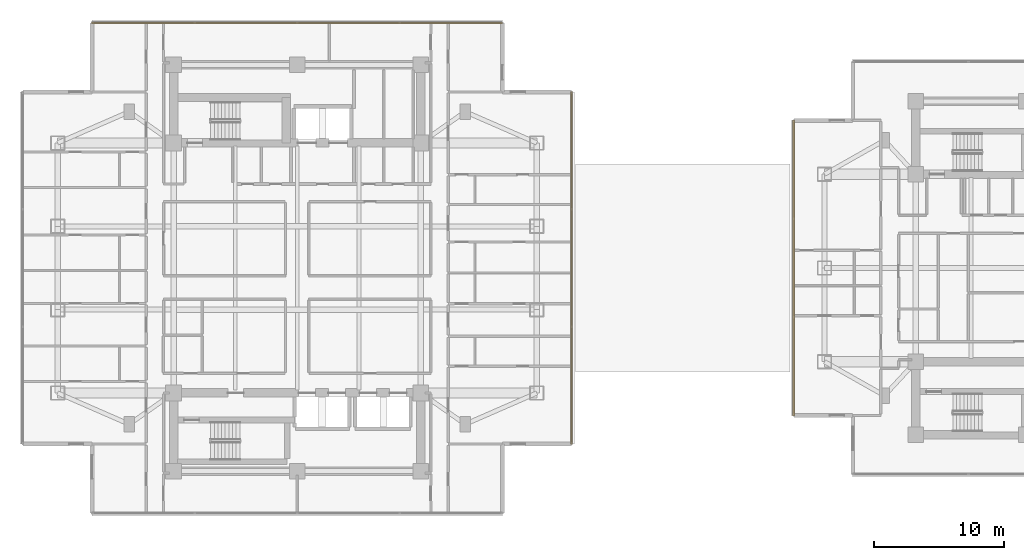
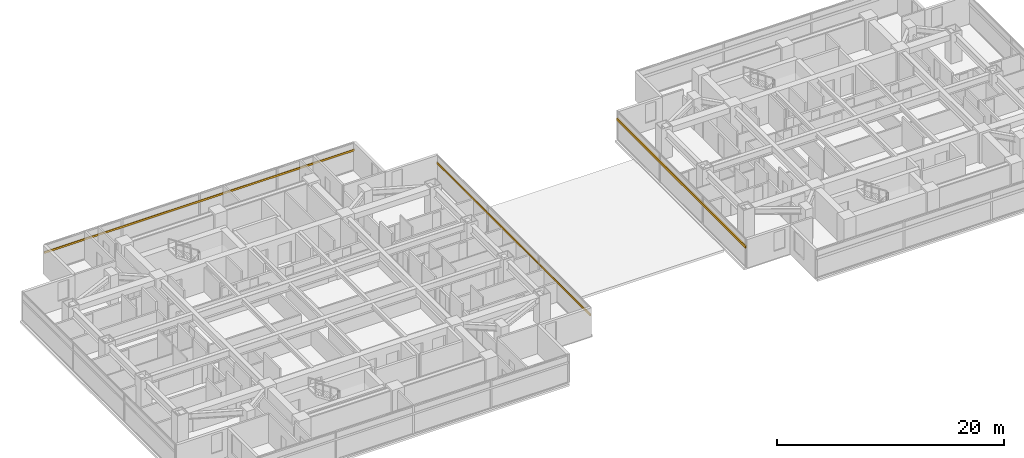
# One storey, part 23 of 26: 3 shading devices.
"""IFC4 building model written with IfcOpenShell, lengths in metres."""

from ifc_helpers import new_model, si_unit, direction, frame, origin, origin_2d, place, context, subcontext, project, spatial, rectangle, extrude, material, material_profile, profile_set, type_object, element, save


model = new_model("IFC4")

# Units and contexts
model_context = context("Model", 3, precision=1e-05, world=origin(), true_north=direction((0.0, 1.0)))
body_context = subcontext(model_context, "Body", "Model", "MODEL_VIEW")
ifc_project = project(units=[si_unit("LENGTHUNIT", "METRE"), si_unit("AREAUNIT", "SQUARE_METRE"), si_unit("VOLUMEUNIT", "CUBIC_METRE"), si_unit("PLANEANGLEUNIT", "RADIAN"), si_unit("MASSUNIT", "GRAM", prefix="KILO")], contexts=[model_context])

# Site, building, storey
site_placement = place(None, origin())
site = spatial("IfcSite", under=ifc_project, at=site_placement, CompositionType="ELEMENT")
building_placement = place(site_placement, origin())
building = spatial("IfcBuilding", under=site, at=building_placement, Name="Mirazonda Arch Towers", CompositionType="ELEMENT")
storey_placement = place(building_placement, frame((0.0, 0.0, 98.300048828125)))
storey = spatial("IfcBuildingStorey", under=building, at=storey_placement, Name="L27", CompositionType="ELEMENT", Elevation=98.300048828125)

# Shading devices
ifc_material = material(Name="Kiln-Fired Architectural Terracotta", Category="masonry")
ifc_material_profile_1 = material_profile(ifc_material, rectangle(XDim=0.10009765625, YDim=0.199951171875, at=origin_2d()), Name="TERRA-BAG-100x200")
ifc_profile_set_1 = profile_set([ifc_material_profile_1], Name="Kiln-Fired Architectural Terracotta")
shading_device_type_1 = type_object("IfcShadingDeviceType", Name="BAGUETTE-2", PredefinedType="USERDEFINED", material=ifc_profile_set_1)
shading_device_1_placement = place(storey_placement, frame((41.570068359375, 14.48095703125, 2.203125), z_axis=(0.0, 1.0, 0.0), x_axis=(-1.0, 0.0, 0.0)))
element("IfcShadingDevice", 1, at=shading_device_1_placement, inside=storey, type_object=shading_device_type_1, Name="L27 Glazed Terracotta Sun-Screen Baguette CW-L27-T1-E", ObjectType="BAGUETTE", PredefinedType="USERDEFINED", context=body_context, shape_type="SweptSolid", body=[
    extrude(rectangle(XDim=0.10009765625, YDim=0.199951171875, at=origin_2d()), origin(), (0.0, 0.0, 1.0), 27.0380859375),
])
shading_device_2_placement = place(storey_placement, frame((4.735107421875, 46.823974609375, 2.203125), z_axis=(1.0, 0.0, 0.0), x_axis=(0.0, 1.0, 0.0)))
element("IfcShadingDevice", 2, at=shading_device_2_placement, inside=storey, type_object=shading_device_type_1, Name="L27 Glazed Terracotta Sun-Screen Baguette CW-L27-T1-N", ObjectType="BAGUETTE", PredefinedType="USERDEFINED", context=body_context, shape_type="SweptSolid", body=[
    extrude(rectangle(XDim=0.10009765625, YDim=0.199951171875, at=origin_2d()), origin(), (0.0, 0.0, 1.0), 31.52978515625),
])
ifc_material_profile_2 = material_profile(ifc_material, rectangle(XDim=0.139892578125, YDim=0.280029296875, at=origin_2d()), Name="TERRA-BAG-140x280")
ifc_profile_set_2 = profile_set([ifc_material_profile_2], Name="Kiln-Fired Architectural Terracotta")
shading_device_type_2 = type_object("IfcShadingDeviceType", Name="BAGUETTE-3", PredefinedType="USERDEFINED", material=ifc_profile_set_2)
shading_device_3_placement = place(storey_placement, frame((58.6435546875, 39.3310546875, 2.203125), z_axis=(0.0, -1.0, 0.0), x_axis=(1.0, 0.0, 0.0)))
element("IfcShadingDevice", 3, at=shading_device_3_placement, inside=storey, type_object=shading_device_type_2, Name="L27 Glazed Terracotta Sun-Screen Baguette CW-L27-T2-W", ObjectType="BAGUETTE", PredefinedType="USERDEFINED", context=body_context, shape_type="SweptSolid", body=[
    extrude(rectangle(XDim=0.139892578125, YDim=0.280029296875, at=origin_2d()), origin(), (0.0, 0.0, 1.0), 22.662109375),
])

save(model, "model.ifc")
